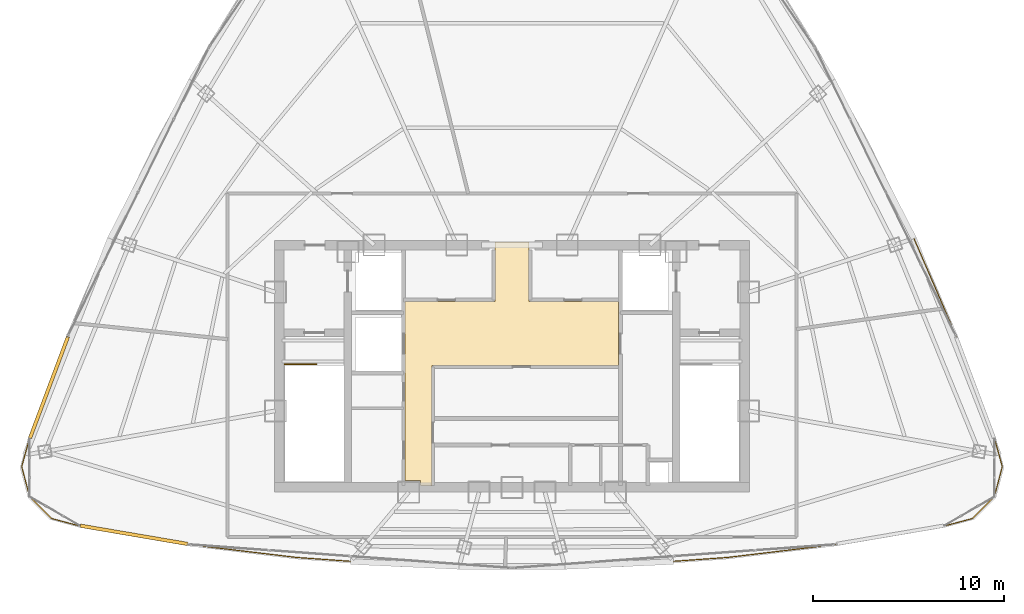
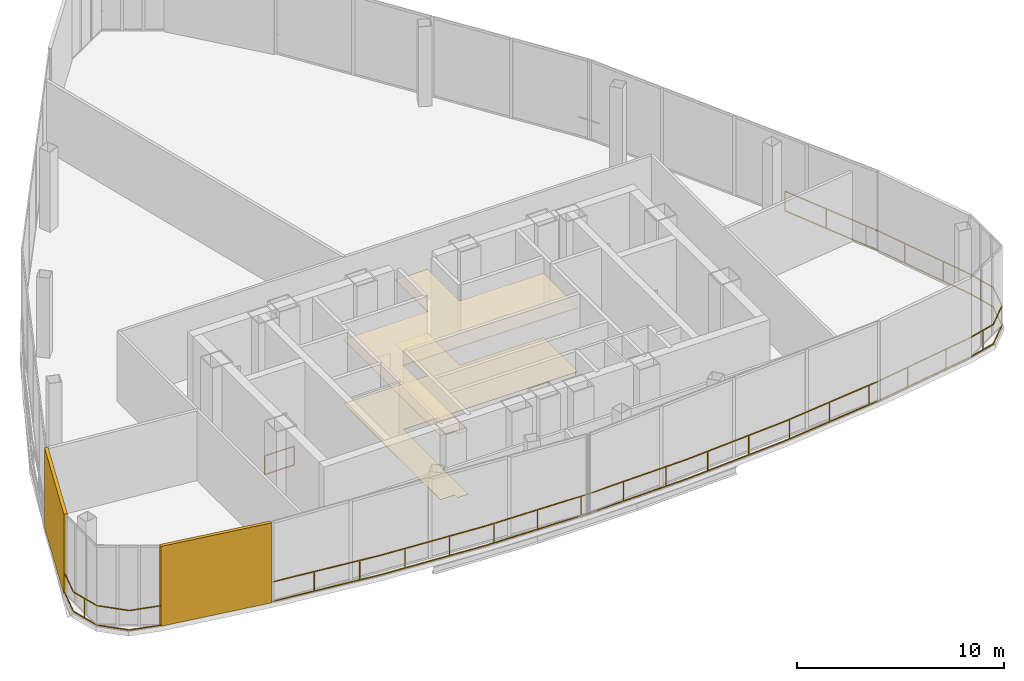
# One storey, part 31 of 32: 2 coverings, 2 railings, 2 shading devices.
"""IFC4 building model written with IfcOpenShell, lengths in metres."""

from ifc_helpers import new_model, si_unit, direction, frame, origin, origin_2d, place, context, subcontext, project, spatial, polyline, rectangle, outline, extrude, source, transform, mapped, material, layer, layer_set, type_object, element, save


model = new_model("IFC4")

# Units and contexts
model_context = context("Model", 3, precision=1e-05, world=origin(), true_north=direction((0.0, 1.0)))
body_context = subcontext(model_context, "Body", "Model", "MODEL_VIEW")
ifc_project = project(units=[si_unit("LENGTHUNIT", "METRE"), si_unit("AREAUNIT", "SQUARE_METRE"), si_unit("VOLUMEUNIT", "CUBIC_METRE"), si_unit("PLANEANGLEUNIT", "RADIAN"), si_unit("MASSUNIT", "GRAM", prefix="KILO"), si_unit("THERMODYNAMICTEMPERATUREUNIT", "KELVIN"), si_unit("POWERUNIT", "WATT")], contexts=[model_context])

# Site, building, storey
site_placement = place(None, origin())
site = spatial("IfcSite", under=ifc_project, at=site_placement, CompositionType="ELEMENT")
building_placement = place(site_placement, origin())
building = spatial("IfcBuilding", under=site, at=building_placement, Name="Yunzhuo Pagoda Commons", CompositionType="ELEMENT")
storey_placement = place(building_placement, frame((0.0, 0.0, 396.760009765625)))
storey = spatial("IfcBuildingStorey", under=building, at=storey_placement, Name="L98", CompositionType="ELEMENT", Elevation=396.760009765625)

# Coverings
ifc_material_1 = material(Name="Micro-perforated metal baffle ceiling")
ifc_layer_1 = layer(ifc_material_1, 0.034912109375)
ifc_layer_set_1 = layer_set([ifc_layer_1], Name="Micro-perforated metal baffle ceiling")
covering_type_1 = type_object("IfcCoveringType", Name="COV-CL3 Ceiling 35", PredefinedType="CEILING", material=ifc_layer_set_1)
covering_1_placement = place(storey_placement, frame((0.0, 0.0, 3.77001953125)))
element("IfcCovering", 1, at=covering_1_placement, inside=storey, type_object=covering_type_1, Name="L98 lift lobby acoustic ceiling", PredefinedType="CEILING", context=body_context, shape_type="SweptSolid", body=[
    extrude(outline(polyline([(43.207763671875, 27.85009765625), (43.201904296875, 27.864013671875), (43.187744140625, 27.8701171875), (42.39990234375, 27.8701171875), (42.39990234375, 33.89990234375), (42.39990234375, 37.25), (47.10009765625, 37.25), (47.10009765625, 40.35009765625), (48.89990234375, 40.35009765625), (48.89990234375, 37.25), (53.580078125, 37.25), (53.580078125, 33.89990234375), (43.820068359375, 33.89990234375), (43.820068359375, 27.60009765625), (43.207763671875, 27.60009765625), (43.207763671875, 27.85009765625)])), origin(), (0.0, 0.0, 1.0), 0.034912109375),
])
ifc_material_2 = material(Name="Resilient acoustic studio flooring")
ifc_layer_2 = layer(ifc_material_2, 0.01806640625)
ifc_layer_set_2 = layer_set([ifc_layer_2], Name="Resilient acoustic studio flooring")
covering_type_2 = type_object("IfcCoveringType", Name="COV-FL3 Flooring 18", PredefinedType="FLOORING", material=ifc_layer_set_2)
covering_2_placement = place(storey_placement, origin())
element("IfcCovering", 2, at=covering_2_placement, inside=storey, type_object=covering_type_2, Name="L98 lift lobby flooring", PredefinedType="FLOORING", context=body_context, shape_type="SweptSolid", body=[
    extrude(outline(polyline([(43.207763671875, 27.85009765625), (43.201904296875, 27.864013671875), (43.187744140625, 27.8701171875), (42.39990234375, 27.8701171875), (42.39990234375, 33.89990234375), (42.39990234375, 37.25), (47.10009765625, 37.25), (47.10009765625, 40.35009765625), (48.89990234375, 40.35009765625), (48.89990234375, 37.25), (53.580078125, 37.25), (53.580078125, 33.89990234375), (43.820068359375, 33.89990234375), (43.820068359375, 27.60009765625), (43.207763671875, 27.60009765625), (43.207763671875, 27.85009765625)])), origin(), (0.0, 0.0, 1.0), 0.01806640625),
])

# Railings
ifc_material_3 = material(Name="Anodized aluminium 6063-T6", Category="aluminium")
railing_type_1 = type_object("IfcRailingType", Name="GR-ST1 Stair Well Guardrail 1150", PredefinedType="GUARDRAIL", material=ifc_material_3)
railing_1_placement = place(storey_placement, frame((36.10009765625, 33.949951171875, 0.0)))
element("IfcRailing", 3, at=railing_1_placement, inside=storey, type_object=railing_type_1, Name="L98 ST1 top well guard 1", PredefinedType="GUARDRAIL", context=body_context, shape_type="SweptSolid", body=[
    extrude(rectangle(XDim=0.048095703125, YDim=0.048095703125, at=origin_2d()), frame((0.0, 0.0, 1.1259765625), z_axis=(1.0, 0.0, 0.0), x_axis=(0.0, 1.0, 0.0)), (0.0, 0.0, 1.0), 1.64990234375),
    extrude(rectangle(XDim=0.048095703125, YDim=0.048095703125, at=origin_2d()), frame((0.0, 0.0, 0.02392578125), z_axis=(1.0, 0.0, 0.0), x_axis=(0.0, 1.0, 0.0)), (0.0, 0.0, 1.0), 1.64990234375),
    extrude(rectangle(XDim=0.0419921875, YDim=0.0419921875, at=origin_2d()), origin(), (0.0, 0.0, 1.0), 1.101806640625),
    extrude(rectangle(XDim=0.0419921875, YDim=0.0419921875, at=origin_2d()), frame((1.64990234375, 0.0, 0.0)), (0.0, 0.0, 1.0), 1.101806640625),
])
railing_type_2 = type_object("IfcRailingType", Name="RL-PRT1 Wind Portal & Refuge Guardrail 1200", PredefinedType="GUARDRAIL", material=ifc_material_3)
railing_2_placement = place(storey_placement, frame((22.740234375, 30.14990234375, 0.0)))
element("IfcRailing", 4, at=railing_2_placement, inside=storey, type_object=railing_type_2, Name="L98 crown drum perimeter guardrail A", PredefinedType="GUARDRAIL", context=body_context, shape_type="SweptSolid", body=[
    extrude(rectangle(XDim=0.048095703125, YDim=0.048095703125, at=origin_2d()), frame((0.0, 0.0, 1.17578125), z_axis=(-0.264505611158, -0.964384146316, 0.0), x_axis=(0.964384146316, -0.264505611158, 0.0)), (0.0, 0.0, 1.0), 1.621826171875),
    extrude(rectangle(XDim=0.048095703125, YDim=0.048095703125, at=origin_2d()), frame((0.0, 0.0, 0.02392578125), z_axis=(-0.264505611158, -0.964384146316, 0.0), x_axis=(0.964384146316, -0.264505611158, 0.0)), (0.0, 0.0, 1.0), 1.621826171875),
    extrude(rectangle(XDim=0.048095703125, YDim=0.048095703125, at=origin_2d()), frame((-0.428955078125, -1.56396484375, 1.17578125), z_axis=(0.255212982377, -0.966884860584, 0.0), x_axis=(0.966884860584, 0.255212982377, 0.0)), (0.0, 0.0, 1.0), 1.61962890625),
    extrude(rectangle(XDim=0.048095703125, YDim=0.048095703125, at=origin_2d()), frame((-0.428955078125, -1.56396484375, 0.02392578125), z_axis=(0.255212982377, -0.966884860584, 0.0), x_axis=(0.966884860584, 0.255212982377, 0.0)), (0.0, 0.0, 1.0), 1.61962890625),
    extrude(rectangle(XDim=0.048095703125, YDim=0.048095703125, at=origin_2d()), frame((-0.015625, -3.1298828125, 1.17578125), z_axis=(0.706428067739, -0.707784843798, 0.0), x_axis=(0.707784843798, 0.706428067739, 0.0)), (0.0, 0.0, 1.0), 1.619384765625),
    extrude(rectangle(XDim=0.048095703125, YDim=0.048095703125, at=origin_2d()), frame((-0.015625, -3.1298828125, 0.02392578125), z_axis=(0.706428067739, -0.707784843798, 0.0), x_axis=(0.707784843798, 0.706428067739, 0.0)), (0.0, 0.0, 1.0), 1.619384765625),
    extrude(rectangle(XDim=0.048095703125, YDim=0.048095703125, at=origin_2d()), frame((1.12841796875, -4.276123046875, 1.17578125), z_axis=(0.966204944096, -0.257775107417, 0.0), x_axis=(0.257775107417, 0.966204944096, 0.0)), (0.0, 0.0, 1.0), 1.621337890625),
    extrude(rectangle(XDim=0.048095703125, YDim=0.048095703125, at=origin_2d()), frame((1.12841796875, -4.276123046875, 0.02392578125), z_axis=(0.966204944096, -0.257775107417, 0.0), x_axis=(0.257775107417, 0.966204944096, 0.0)), (0.0, 0.0, 1.0), 1.621337890625),
    extrude(rectangle(XDim=0.048095703125, YDim=0.048095703125, at=origin_2d()), frame((2.695068359375, -4.694091796875, 1.17578125), z_axis=(0.986119654953, -0.166036219285, 0.0), x_axis=(0.166036219285, 0.986119654953, 0.0)), (0.0, 0.0, 1.0), 5.730224609375),
    extrude(rectangle(XDim=0.048095703125, YDim=0.048095703125, at=origin_2d()), frame((2.695068359375, -4.694091796875, 0.02392578125), z_axis=(0.986119654953, -0.166036219285, 0.0), x_axis=(0.166036219285, 0.986119654953, 0.0)), (0.0, 0.0, 1.0), 5.730224609375),
    extrude(rectangle(XDim=0.048095703125, YDim=0.048095703125, at=origin_2d()), frame((8.345703125, -5.6455078125, 1.17578125), z_axis=(0.992925120312, -0.1187421806, 0.0), x_axis=(0.1187421806, 0.992925120312, 0.0)), (0.0, 0.0, 1.0), 5.68505859375),
    extrude(rectangle(XDim=0.048095703125, YDim=0.048095703125, at=origin_2d()), frame((8.345703125, -5.6455078125, 0.02392578125), z_axis=(0.992925120312, -0.1187421806, 0.0), x_axis=(0.1187421806, 0.992925120312, 0.0)), (0.0, 0.0, 1.0), 5.68505859375),
    extrude(rectangle(XDim=0.048095703125, YDim=0.048095703125, at=origin_2d()), frame((13.990478515625, -6.320556640625, 1.17578125), z_axis=(0.997465930761, -0.071145744574, 0.0), x_axis=(0.071145744574, 0.997465930761, 0.0)), (0.0, 0.0, 1.0), 5.65185546875),
    extrude(rectangle(XDim=0.048095703125, YDim=0.048095703125, at=origin_2d()), frame((13.990478515625, -6.320556640625, 0.02392578125), z_axis=(0.997465930761, -0.071145744574, 0.0), x_axis=(0.071145744574, 0.997465930761, 0.0)), (0.0, 0.0, 1.0), 5.65185546875),
    extrude(rectangle(XDim=0.048095703125, YDim=0.048095703125, at=origin_2d()), frame((19.6279296875, -6.72265625, 1.17578125), z_axis=(0.999720003261, -0.023662524787, 0.0), x_axis=(0.023662524787, 0.999720003261, 0.0)), (0.0, 0.0, 1.0), 5.63330078125),
    extrude(rectangle(XDim=0.048095703125, YDim=0.048095703125, at=origin_2d()), frame((19.6279296875, -6.72265625, 0.02392578125), z_axis=(0.999720003261, -0.023662524787, 0.0), x_axis=(0.023662524787, 0.999720003261, 0.0)), (0.0, 0.0, 1.0), 5.63330078125),
    extrude(rectangle(XDim=0.048095703125, YDim=0.048095703125, at=origin_2d()), frame((25.259765625, -6.85595703125, 1.17578125), z_axis=(0.999719978994, 0.02366355003, 0.0), x_axis=(-0.02366355003, 0.999719978994, 0.0)), (0.0, 0.0, 1.0), 5.633056640625),
    extrude(rectangle(XDim=0.048095703125, YDim=0.048095703125, at=origin_2d()), frame((25.259765625, -6.85595703125, 0.02392578125), z_axis=(0.999719978994, 0.02366355003, 0.0), x_axis=(-0.02366355003, 0.999719978994, 0.0)), (0.0, 0.0, 1.0), 5.633056640625),
    extrude(rectangle(XDim=0.048095703125, YDim=0.048095703125, at=origin_2d()), frame((30.891357421875, -6.72265625, 1.17578125), z_axis=(0.997466149399, 0.071142679199, 0.0), x_axis=(-0.071142679199, 0.997466149399, 0.0)), (0.0, 0.0, 1.0), 5.652099609375),
    extrude(rectangle(XDim=0.048095703125, YDim=0.048095703125, at=origin_2d()), frame((30.891357421875, -6.72265625, 0.02392578125), z_axis=(0.997466149399, 0.071142679199, 0.0), x_axis=(-0.071142679199, 0.997466149399, 0.0)), (0.0, 0.0, 1.0), 5.652099609375),
    extrude(rectangle(XDim=0.048095703125, YDim=0.048095703125, at=origin_2d()), frame((36.529052734375, -6.320556640625, 1.17578125), z_axis=(0.992925120312, 0.1187421806, 0.0), x_axis=(-0.1187421806, 0.992925120312, 0.0)), (0.0, 0.0, 1.0), 5.68505859375),
    extrude(rectangle(XDim=0.048095703125, YDim=0.048095703125, at=origin_2d()), frame((36.529052734375, -6.320556640625, 0.02392578125), z_axis=(0.992925120312, 0.1187421806, 0.0), x_axis=(-0.1187421806, 0.992925120312, 0.0)), (0.0, 0.0, 1.0), 5.68505859375),
    extrude(rectangle(XDim=0.048095703125, YDim=0.048095703125, at=origin_2d()), frame((42.173828125, -5.6455078125, 1.17578125), z_axis=(0.986119654953, 0.166036219285, 0.0), x_axis=(-0.166036219285, 0.986119654953, 0.0)), (0.0, 0.0, 1.0), 5.730224609375),
    extrude(rectangle(XDim=0.048095703125, YDim=0.048095703125, at=origin_2d()), frame((42.173828125, -5.6455078125, 0.02392578125), z_axis=(0.986119654953, 0.166036219285, 0.0), x_axis=(-0.166036219285, 0.986119654953, 0.0)), (0.0, 0.0, 1.0), 5.730224609375),
    extrude(rectangle(XDim=0.048095703125, YDim=0.048095703125, at=origin_2d()), frame((47.824462890625, -4.694091796875, 1.17578125), z_axis=(0.966204944096, 0.257775107417, 0.0), x_axis=(-0.257775107417, 0.966204944096, 0.0)), (0.0, 0.0, 1.0), 1.621337890625),
    extrude(rectangle(XDim=0.048095703125, YDim=0.048095703125, at=origin_2d()), frame((47.824462890625, -4.694091796875, 0.02392578125), z_axis=(0.966204944096, 0.257775107417, 0.0), x_axis=(-0.257775107417, 0.966204944096, 0.0)), (0.0, 0.0, 1.0), 1.621337890625),
    extrude(rectangle(XDim=0.048095703125, YDim=0.048095703125, at=origin_2d()), frame((49.39111328125, -4.276123046875, 1.17578125), z_axis=(0.706428067739, 0.707784843798, 0.0), x_axis=(-0.707784843798, 0.706428067739, 0.0)), (0.0, 0.0, 1.0), 1.619384765625),
    extrude(rectangle(XDim=0.048095703125, YDim=0.048095703125, at=origin_2d()), frame((49.39111328125, -4.276123046875, 0.02392578125), z_axis=(0.706428067739, 0.707784843798, 0.0), x_axis=(-0.707784843798, 0.706428067739, 0.0)), (0.0, 0.0, 1.0), 1.619384765625),
    extrude(rectangle(XDim=0.048095703125, YDim=0.048095703125, at=origin_2d()), frame((50.53515625, -3.1298828125, 1.17578125), z_axis=(0.255212982377, 0.966884860584, 0.0), x_axis=(-0.966884860584, 0.255212982377, 0.0)), (0.0, 0.0, 1.0), 1.61962890625),
    extrude(rectangle(XDim=0.048095703125, YDim=0.048095703125, at=origin_2d()), frame((50.53515625, -3.1298828125, 0.02392578125), z_axis=(0.255212982377, 0.966884860584, 0.0), x_axis=(-0.966884860584, 0.255212982377, 0.0)), (0.0, 0.0, 1.0), 1.61962890625),
    extrude(rectangle(XDim=0.048095703125, YDim=0.048095703125, at=origin_2d()), frame((50.948486328125, -1.56396484375, 1.17578125), z_axis=(-0.264505611158, 0.964384146316, 0.0), x_axis=(-0.964384146316, -0.264505611158, 0.0)), (0.0, 0.0, 1.0), 1.621826171875),
    extrude(rectangle(XDim=0.048095703125, YDim=0.048095703125, at=origin_2d()), frame((50.948486328125, -1.56396484375, 0.02392578125), z_axis=(-0.264505611158, 0.964384146316, 0.0), x_axis=(-0.964384146316, -0.264505611158, 0.0)), (0.0, 0.0, 1.0), 1.621826171875),
    extrude(rectangle(XDim=0.048095703125, YDim=0.048095703125, at=origin_2d()), frame((50.51953125, 0.0, 1.17578125), z_axis=(-0.352445708471, 0.935832261989, 0.0), x_axis=(-0.935832261989, -0.352445708471, 0.0)), (0.0, 0.0, 1.0), 5.684326171875),
    extrude(rectangle(XDim=0.048095703125, YDim=0.048095703125, at=origin_2d()), frame((50.51953125, 0.0, 0.02392578125), z_axis=(-0.352445708471, 0.935832261989, 0.0), x_axis=(-0.935832261989, -0.352445708471, 0.0)), (0.0, 0.0, 1.0), 5.684326171875),
    extrude(rectangle(XDim=0.048095703125, YDim=0.048095703125, at=origin_2d()), frame((48.51611328125, 5.319580078125, 1.17578125), z_axis=(-0.397088580281, 0.917780289291, 0.0), x_axis=(-0.917780289291, -0.397088580281, 0.0)), (0.0, 0.0, 1.0), 5.63916015625),
    extrude(rectangle(XDim=0.048095703125, YDim=0.048095703125, at=origin_2d()), frame((48.51611328125, 5.319580078125, 0.02392578125), z_axis=(-0.397088580281, 0.917780289291, 0.0), x_axis=(-0.917780289291, -0.397088580281, 0.0)), (0.0, 0.0, 1.0), 5.63916015625),
    extrude(rectangle(XDim=0.0419921875, YDim=0.0419921875, at=origin_2d()), origin(), (0.0, 0.0, 1.0), 1.15185546875),
    extrude(rectangle(XDim=0.0419921875, YDim=0.0419921875, at=origin_2d()), frame((-0.230224609375, -2.31640625, 0.0)), (0.0, 0.0, 1.0), 1.15185546875),
    extrude(rectangle(XDim=0.0419921875, YDim=0.0419921875, at=origin_2d()), frame((3.40283203125, -4.813232421875, 0.0)), (0.0, 0.0, 1.0), 1.15185546875),
    extrude(rectangle(XDim=0.0419921875, YDim=0.0419921875, at=origin_2d()), frame((5.76953125, -5.211669921875, 0.0)), (0.0, 0.0, 1.0), 1.15185546875),
    extrude(rectangle(XDim=0.0419921875, YDim=0.0419921875, at=origin_2d()), frame((8.13623046875, -5.6103515625, 0.0)), (0.0, 0.0, 1.0), 1.15185546875),
    extrude(rectangle(XDim=0.0419921875, YDim=0.0419921875, at=origin_2d()), frame((10.517822265625, -5.9052734375, 0.0)), (0.0, 0.0, 1.0), 1.15185546875),
    extrude(rectangle(XDim=0.0419921875, YDim=0.0419921875, at=origin_2d()), frame((12.90087890625, -6.190185546875, 0.0)), (0.0, 0.0, 1.0), 1.15185546875),
    extrude(rectangle(XDim=0.0419921875, YDim=0.0419921875, at=origin_2d()), frame((15.289794921875, -6.413330078125, 0.0)), (0.0, 0.0, 1.0), 1.15185546875),
    extrude(rectangle(XDim=0.0419921875, YDim=0.0419921875, at=origin_2d()), frame((17.683837890625, -6.583984375, 0.0)), (0.0, 0.0, 1.0), 1.15185546875),
    extrude(rectangle(XDim=0.0419921875, YDim=0.0419921875, at=origin_2d()), frame((20.07861328125, -6.7333984375, 0.0)), (0.0, 0.0, 1.0), 1.15185546875),
    extrude(rectangle(XDim=0.0419921875, YDim=0.0419921875, at=origin_2d()), frame((22.47802734375, -6.7900390625, 0.0)), (0.0, 0.0, 1.0), 1.15185546875),
    extrude(rectangle(XDim=0.0419921875, YDim=0.0419921875, at=origin_2d()), frame((24.87744140625, -6.846923828125, 0.0)), (0.0, 0.0, 1.0), 1.15185546875),
    extrude(rectangle(XDim=0.0419921875, YDim=0.0419921875, at=origin_2d()), frame((27.276611328125, -6.80810546875, 0.0)), (0.0, 0.0, 1.0), 1.15185546875),
    extrude(rectangle(XDim=0.0419921875, YDim=0.0419921875, at=origin_2d()), frame((29.676025390625, -6.75146484375, 0.0)), (0.0, 0.0, 1.0), 1.15185546875),
    extrude(rectangle(XDim=0.0419921875, YDim=0.0419921875, at=origin_2d()), frame((32.07275390625, -6.638427734375, 0.0)), (0.0, 0.0, 1.0), 1.15185546875),
    extrude(rectangle(XDim=0.0419921875, YDim=0.0419921875, at=origin_2d()), frame((34.466552734375, -6.4677734375, 0.0)), (0.0, 0.0, 1.0), 1.15185546875),
    extrude(rectangle(XDim=0.0419921875, YDim=0.0419921875, at=origin_2d()), frame((36.85888671875, -6.281005859375, 0.0)), (0.0, 0.0, 1.0), 1.15185546875),
    extrude(rectangle(XDim=0.0419921875, YDim=0.0419921875, at=origin_2d()), frame((39.241943359375, -5.99609375, 0.0)), (0.0, 0.0, 1.0), 1.15185546875),
    extrude(rectangle(XDim=0.0419921875, YDim=0.0419921875, at=origin_2d()), frame((41.625, -5.711181640625, 0.0)), (0.0, 0.0, 1.0), 1.15185546875),
    extrude(rectangle(XDim=0.0419921875, YDim=0.0419921875, at=origin_2d()), frame((43.995361328125, -5.3388671875, 0.0)), (0.0, 0.0, 1.0), 1.15185546875),
    extrude(rectangle(XDim=0.0419921875, YDim=0.0419921875, at=origin_2d()), frame((46.362060546875, -4.940185546875, 0.0)), (0.0, 0.0, 1.0), 1.15185546875),
    extrude(rectangle(XDim=0.0419921875, YDim=0.0419921875, at=origin_2d()), frame((48.71044921875, -4.457763671875, 0.0)), (0.0, 0.0, 1.0), 1.15185546875),
    extrude(rectangle(XDim=0.0419921875, YDim=0.0419921875, at=origin_2d()), frame((50.5546875, -3.05615234375, 0.0)), (0.0, 0.0, 1.0), 1.15185546875),
    extrude(rectangle(XDim=0.0419921875, YDim=0.0419921875, at=origin_2d()), frame((50.721923828125, -0.73779296875, 0.0)), (0.0, 0.0, 1.0), 1.15185546875),
    extrude(rectangle(XDim=0.0419921875, YDim=0.0419921875, at=origin_2d()), frame((49.943359375, 1.530029296875, 0.0)), (0.0, 0.0, 1.0), 1.15185546875),
    extrude(rectangle(XDim=0.0419921875, YDim=0.0419921875, at=origin_2d()), frame((49.097412109375, 3.77587890625, 0.0)), (0.0, 0.0, 1.0), 1.15185546875),
    extrude(rectangle(XDim=0.0419921875, YDim=0.0419921875, at=origin_2d()), frame((48.218017578125, 6.008544921875, 0.0)), (0.0, 0.0, 1.0), 1.15185546875),
    extrude(rectangle(XDim=0.0419921875, YDim=0.0419921875, at=origin_2d()), frame((47.26513671875, 8.211181640625, 0.0)), (0.0, 0.0, 1.0), 1.15185546875),
    extrude(rectangle(XDim=0.0419921875, YDim=0.0419921875, at=origin_2d()), frame((46.27685546875, 10.4951171875, 0.0)), (0.0, 0.0, 1.0), 1.15185546875),
])

# Shading devices
ifc_layer_3 = layer(ifc_material_3, 0.179931640625)
ifc_layer_set_3 = layer_set([ifc_layer_3], Name="Anodized aluminium 6063-T6")
shading_device_type = type_object("IfcShadingDeviceType", Name="SH-SCR2 Crown Drum Acoustic Louvre Screen", PredefinedType="JALOUSIE", material=ifc_layer_set_3)
shared_shape_1 = source(origin(), body_context, "Body", "SweptSolid", [
    extrude(rectangle(XDim=5.722900390625, YDim=0.179931640625, at=origin_2d()), origin(), (0.0, 0.0, 1.0), 4.719970703125),
])
shading_device_1_placement = place(storey_placement, frame((28.201416015625, 25.014404296875, 0.0), z_axis=(0.0, 0.0, 1.0), x_axis=(0.985803279142, -0.16790442172, 0.0)))
element("IfcShadingDevice", 5, at=shading_device_1_placement, inside=storey, type_object=shading_device_type, Name="L98 crown plant drum screen F1.0", PredefinedType="JALOUSIE", context=body_context, shape_type="MappedRepresentation", body=[
    mapped(shared_shape_1, transform((0.0, 0.0, 0.0), scale=1.0)),
])
shared_shape_2 = source(origin(), body_context, "Body", "SweptSolid", [
    extrude(rectangle(XDim=5.67724609375, YDim=0.179931640625, at=origin_2d()), origin(), (0.0, 0.0, 1.0), 4.719970703125),
])
shading_device_2_placement = place(storey_placement, frame((23.741455078125, 32.74169921875, 0.0), z_axis=(0.0, 0.0, 1.0), x_axis=(-0.350697773643, -0.936488692704, 0.0)))
element("IfcShadingDevice", 6, at=shading_device_2_placement, inside=storey, type_object=shading_device_type, Name="L98 crown plant drum screen F3.7", PredefinedType="JALOUSIE", context=body_context, shape_type="MappedRepresentation", body=[
    mapped(shared_shape_2, transform((0.0, 0.0, 0.0), scale=1.0)),
])

save(model, "model.ifc")
